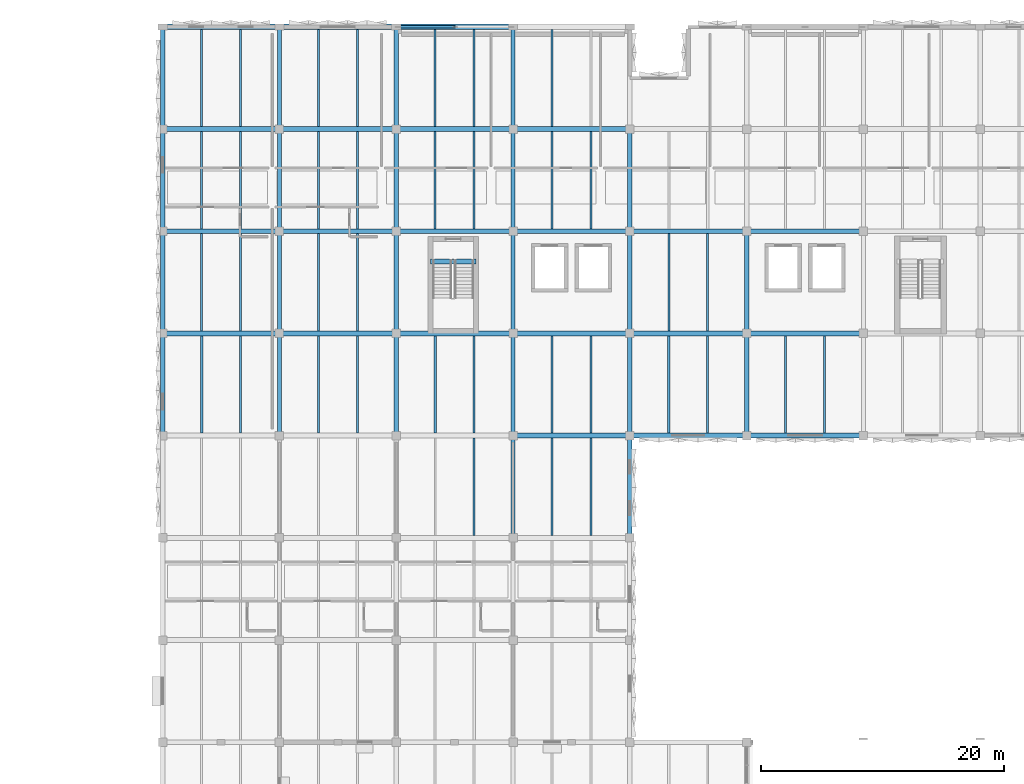
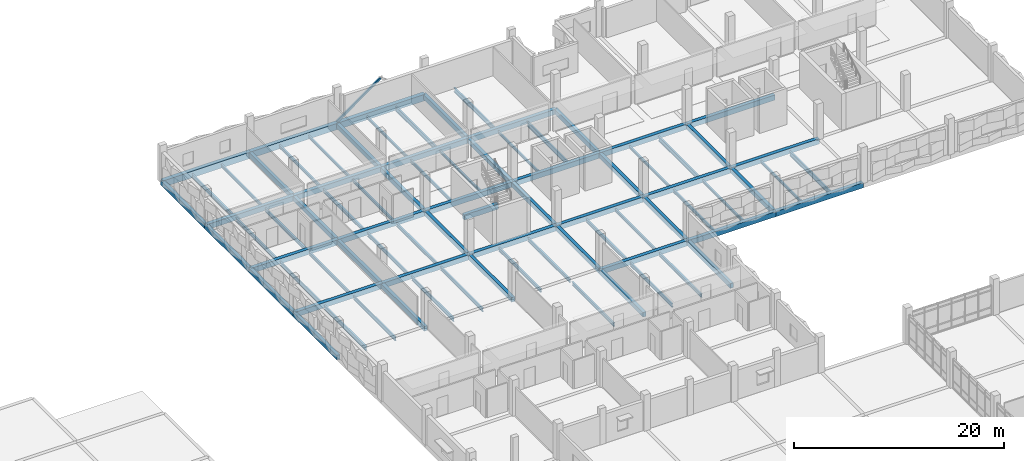
# One storey, part 23 of 57: 82 beams, 1 member.
"""IFC4 building model written with IfcOpenShell, lengths in metres."""

from ifc_helpers import new_model, si_unit, direction, frame, origin, origin_2d, place, context, subcontext, project, spatial, rectangle, hollow_rectangle, i_section, extrude, material, material_profile, profile_set, type_object, element, save


model = new_model("IFC4")

# Units and contexts
model_context = context("Model", 3, precision=1e-05, world=origin(), true_north=direction((0.0, 1.0)))
body_context = subcontext(model_context, "Body", "Model", "MODEL_VIEW")
ifc_project = project(units=[si_unit("LENGTHUNIT", "METRE"), si_unit("AREAUNIT", "SQUARE_METRE"), si_unit("VOLUMEUNIT", "CUBIC_METRE"), si_unit("PLANEANGLEUNIT", "RADIAN"), si_unit("MASSUNIT", "GRAM", prefix="KILO")], contexts=[model_context])

# Site, building, storey
site_placement = place(None, origin())
site = spatial("IfcSite", under=ifc_project, at=site_placement, CompositionType="ELEMENT")
building_placement = place(site_placement, origin())
building = spatial("IfcBuilding", under=site, at=building_placement, Name="Oolite Switchyard Hospital", CompositionType="ELEMENT")
storey_placement = place(building_placement, frame((0.0, 0.0, 17.800048828125)))
storey = spatial("IfcBuildingStorey", under=building, at=storey_placement, Name="L04", CompositionType="ELEMENT", Elevation=17.800048828125)

# Beams
ifc_material_1 = material(Name="Concrete C40/50", Category="concrete")
ifc_material_profile_1 = material_profile(ifc_material_1, rectangle(XDim=0.35009765625, YDim=0.550048828125, at=origin_2d()), Name="RCB350X550")
ifc_profile_set_1 = profile_set([ifc_material_profile_1], Name="Concrete C40/50")
beam_type_1 = type_object("IfcBeamType", Name="BM-RC350X550", PredefinedType="BEAM", material=ifc_profile_set_1)
beam_1_placement = place(storey_placement, frame((134.39990234375, 100.800048828125, -0.275146484375), z_axis=(0.0, 1.0, 0.0), x_axis=(-1.0, 0.0, 0.0)))
element("IfcBeam", 1, at=beam_1_placement, inside=storey, type_object=beam_type_1, Name="L04 Y-Girder 2987", PredefinedType="BEAM", context=body_context, shape_type="SweptSolid", body=[
    extrude(rectangle(XDim=0.35009765625, YDim=0.550048828125, at=origin_2d()), origin(), (0.0, 0.0, 1.0), 8.39990234375),
])
beam_2_placement = place(storey_placement, frame((134.39990234375, 109.199951171875, -0.275146484375), z_axis=(0.0, 1.0, 0.0), x_axis=(-1.0, 0.0, 0.0)))
element("IfcBeam", 2, at=beam_2_placement, inside=storey, type_object=beam_type_1, Name="L04 Y-Girder 2988", PredefinedType="BEAM", context=body_context, shape_type="SweptSolid", body=[
    extrude(rectangle(XDim=0.35009765625, YDim=0.550048828125, at=origin_2d()), origin(), (0.0, 0.0, 1.0), 8.400146484375),
])
for number, where, z_axis, x_axis, name in (
    (3, (134.39990234375, 117.60009765625, -0.275146484375), (0.0, 1.0, 0.0), (-1.0, 0.0, 0.0), "L04 Y-Girder 2989"),
    (4, (134.39990234375, 126.0, -0.275146484375), (0.0, 1.0, 0.0), (-1.0, 0.0, 0.0), "L04 Y-Girder 2990"),
    (5, (144.0, 100.800048828125, -0.275146484375), (0.0, 1.0, 0.0), (-1.0, 0.0, 0.0), "L04 Y-Girder 3002"),
):
    element("IfcBeam", number, at=place(storey_placement, frame(where, z_axis=z_axis, x_axis=x_axis)), inside=storey, type_object=beam_type_1, Name=name, PredefinedType="BEAM", context=body_context, shape_type="SweptSolid", body=[
        extrude(rectangle(XDim=0.35009765625, YDim=0.550048828125, at=origin_2d()), origin(), (0.0, 0.0, 1.0), 8.39990234375),
    ])
beam_3_placement = place(storey_placement, frame((144.0, 109.199951171875, -0.275146484375), z_axis=(0.0, 1.0, 0.0), x_axis=(-1.0, 0.0, 0.0)))
element("IfcBeam", 6, at=beam_3_placement, inside=storey, type_object=beam_type_1, Name="L04 Y-Girder 3003", PredefinedType="BEAM", context=body_context, shape_type="SweptSolid", body=[
    extrude(rectangle(XDim=0.35009765625, YDim=0.550048828125, at=origin_2d()), origin(), (0.0, 0.0, 1.0), 8.400146484375),
])
for number, where, z_axis, x_axis, name in (
    (7, (144.0, 117.60009765625, -0.275146484375), (0.0, 1.0, 0.0), (-1.0, 0.0, 0.0), "L04 Y-Girder 3004"),
    (8, (144.0, 126.0, -0.275146484375), (0.0, 1.0, 0.0), (-1.0, 0.0, 0.0), "L04 Y-Girder 3005"),
    (9, (153.60009765625, 100.800048828125, -0.275146484375), (0.0, 1.0, 0.0), (-1.0, 0.0, 0.0), "L04 Y-Girder 3013"),
):
    element("IfcBeam", number, at=place(storey_placement, frame(where, z_axis=z_axis, x_axis=x_axis)), inside=storey, type_object=beam_type_1, Name=name, PredefinedType="BEAM", context=body_context, shape_type="SweptSolid", body=[
        extrude(rectangle(XDim=0.35009765625, YDim=0.550048828125, at=origin_2d()), origin(), (0.0, 0.0, 1.0), 8.39990234375),
    ])
beam_4_placement = place(storey_placement, frame((153.60009765625, 109.199951171875, -0.275146484375), z_axis=(0.0, 1.0, 0.0), x_axis=(-1.0, 0.0, 0.0)))
element("IfcBeam", 10, at=beam_4_placement, inside=storey, type_object=beam_type_1, Name="L04 Y-Girder 3014", PredefinedType="BEAM", context=body_context, shape_type="SweptSolid", body=[
    extrude(rectangle(XDim=0.35009765625, YDim=0.550048828125, at=origin_2d()), origin(), (0.0, 0.0, 1.0), 8.400146484375),
])
for number, where, z_axis, x_axis, name in (
    (11, (153.60009765625, 117.60009765625, -0.275146484375), (0.0, 1.0, 0.0), (-1.0, 0.0, 0.0), "L04 Y-Girder 3015"),
    (12, (153.60009765625, 126.0, -0.275146484375), (0.0, 1.0, 0.0), (-1.0, 0.0, 0.0), "L04 Y-Girder 3016"),
):
    element("IfcBeam", number, at=place(storey_placement, frame(where, z_axis=z_axis, x_axis=x_axis)), inside=storey, type_object=beam_type_1, Name=name, PredefinedType="BEAM", context=body_context, shape_type="SweptSolid", body=[
        extrude(rectangle(XDim=0.35009765625, YDim=0.550048828125, at=origin_2d()), origin(), (0.0, 0.0, 1.0), 8.39990234375),
    ])
beam_5_placement = place(storey_placement, frame((163.199951171875, 92.39990234375, -0.275146484375), z_axis=(0.0, 1.0, 0.0), x_axis=(-1.0, 0.0, 0.0)))
element("IfcBeam", 13, at=beam_5_placement, inside=storey, type_object=beam_type_1, Name="L04 Y-Girder 3023", PredefinedType="BEAM", context=body_context, shape_type="SweptSolid", body=[
    extrude(rectangle(XDim=0.35009765625, YDim=0.550048828125, at=origin_2d()), origin(), (0.0, 0.0, 1.0), 8.400146484375),
])
beam_6_placement = place(storey_placement, frame((163.199951171875, 100.800048828125, -0.275146484375), z_axis=(0.0, 1.0, 0.0), x_axis=(-1.0, 0.0, 0.0)))
element("IfcBeam", 14, at=beam_6_placement, inside=storey, type_object=beam_type_1, Name="L04 Y-Girder 3024", PredefinedType="BEAM", context=body_context, shape_type="SweptSolid", body=[
    extrude(rectangle(XDim=0.35009765625, YDim=0.550048828125, at=origin_2d()), origin(), (0.0, 0.0, 1.0), 8.39990234375),
])
beam_7_placement = place(storey_placement, frame((163.199951171875, 109.199951171875, -0.275146484375), z_axis=(0.0, 1.0, 0.0), x_axis=(-1.0, 0.0, 0.0)))
element("IfcBeam", 15, at=beam_7_placement, inside=storey, type_object=beam_type_1, Name="L04 Y-Girder 3025", PredefinedType="BEAM", context=body_context, shape_type="SweptSolid", body=[
    extrude(rectangle(XDim=0.35009765625, YDim=0.550048828125, at=origin_2d()), origin(), (0.0, 0.0, 1.0), 8.400146484375),
])
for number, where, z_axis, x_axis, name in (
    (16, (163.199951171875, 117.60009765625, -0.275146484375), (0.0, 1.0, 0.0), (-1.0, 0.0, 0.0), "L04 Y-Girder 3026"),
    (17, (163.199951171875, 126.0, -0.275146484375), (0.0, 1.0, 0.0), (-1.0, 0.0, 0.0), "L04 Y-Girder 3027"),
):
    element("IfcBeam", number, at=place(storey_placement, frame(where, z_axis=z_axis, x_axis=x_axis)), inside=storey, type_object=beam_type_1, Name=name, PredefinedType="BEAM", context=body_context, shape_type="SweptSolid", body=[
        extrude(rectangle(XDim=0.35009765625, YDim=0.550048828125, at=origin_2d()), origin(), (0.0, 0.0, 1.0), 8.39990234375),
    ])
beam_8_placement = place(storey_placement, frame((172.800048828125, 92.39990234375, -0.275146484375), z_axis=(0.0, 1.0, 0.0), x_axis=(-1.0, 0.0, 0.0)))
element("IfcBeam", 18, at=beam_8_placement, inside=storey, type_object=beam_type_1, Name="L04 Y-Girder 3034", PredefinedType="BEAM", context=body_context, shape_type="SweptSolid", body=[
    extrude(rectangle(XDim=0.35009765625, YDim=0.550048828125, at=origin_2d()), origin(), (0.0, 0.0, 1.0), 8.400146484375),
])
beam_9_placement = place(storey_placement, frame((172.800048828125, 100.800048828125, -0.275146484375), z_axis=(0.0, 1.0, 0.0), x_axis=(-1.0, 0.0, 0.0)))
element("IfcBeam", 19, at=beam_9_placement, inside=storey, type_object=beam_type_1, Name="L04 Y-Girder 3035", PredefinedType="BEAM", context=body_context, shape_type="SweptSolid", body=[
    extrude(rectangle(XDim=0.35009765625, YDim=0.550048828125, at=origin_2d()), origin(), (0.0, 0.0, 1.0), 8.39990234375),
])
beam_10_placement = place(storey_placement, frame((172.800048828125, 109.199951171875, -0.275146484375), z_axis=(0.0, 1.0, 0.0), x_axis=(-1.0, 0.0, 0.0)))
element("IfcBeam", 20, at=beam_10_placement, inside=storey, type_object=beam_type_1, Name="L04 Y-Girder 3036", PredefinedType="BEAM", context=body_context, shape_type="SweptSolid", body=[
    extrude(rectangle(XDim=0.35009765625, YDim=0.550048828125, at=origin_2d()), origin(), (0.0, 0.0, 1.0), 8.400146484375),
])
for number, where, z_axis, x_axis, name in (
    (21, (172.800048828125, 117.60009765625, -0.275146484375), (0.0, 1.0, 0.0), (-1.0, 0.0, 0.0), "L04 Y-Girder 3037"),
    (22, (182.39990234375, 100.800048828125, -0.275146484375), (0.0, 1.0, 0.0), (-1.0, 0.0, 0.0), "L04 Y-Girder 3047"),
):
    element("IfcBeam", number, at=place(storey_placement, frame(where, z_axis=z_axis, x_axis=x_axis)), inside=storey, type_object=beam_type_1, Name=name, PredefinedType="BEAM", context=body_context, shape_type="SweptSolid", body=[
        extrude(rectangle(XDim=0.35009765625, YDim=0.550048828125, at=origin_2d()), origin(), (0.0, 0.0, 1.0), 8.39990234375),
    ])
beam_11_placement = place(storey_placement, frame((182.39990234375, 109.199951171875, -0.275146484375), z_axis=(0.0, 1.0, 0.0), x_axis=(-1.0, 0.0, 0.0)))
element("IfcBeam", 23, at=beam_11_placement, inside=storey, type_object=beam_type_1, Name="L04 Y-Girder 3048", PredefinedType="BEAM", context=body_context, shape_type="SweptSolid", body=[
    extrude(rectangle(XDim=0.35009765625, YDim=0.550048828125, at=origin_2d()), origin(), (0.0, 0.0, 1.0), 8.400146484375),
])
ifc_material_profile_2 = material_profile(ifc_material_1, rectangle(XDim=0.39990234375, YDim=0.60009765625, at=origin_2d()), Name="RCB400X600")
ifc_profile_set_2 = profile_set([ifc_material_profile_2], Name="Concrete C40/50")
beam_type_2 = type_object("IfcBeamType", Name="BM-RC400X600", PredefinedType="BEAM", material=ifc_profile_set_2)
beam_12_placement = place(storey_placement, frame((163.199951171875, 100.800048828125, -0.300048828125), z_axis=(1.0, 0.0, 0.0), x_axis=(0.0, 1.0, 0.0)))
element("IfcBeam", 24, at=beam_12_placement, inside=storey, type_object=beam_type_2, Name="L04 X-Girder 2871", PredefinedType="BEAM", context=body_context, shape_type="SweptSolid", body=[
    extrude(rectangle(XDim=0.39990234375, YDim=0.60009765625, at=origin_2d()), origin(), (0.0, 0.0, 1.0), 9.60009765625),
])
beam_13_placement = place(storey_placement, frame((172.800048828125, 100.800048828125, -0.300048828125), z_axis=(1.0, 0.0, 0.0), x_axis=(0.0, 1.0, 0.0)))
element("IfcBeam", 25, at=beam_13_placement, inside=storey, type_object=beam_type_2, Name="L04 X-Girder 2872", PredefinedType="BEAM", context=body_context, shape_type="SweptSolid", body=[
    extrude(rectangle(XDim=0.39990234375, YDim=0.60009765625, at=origin_2d()), origin(), (0.0, 0.0, 1.0), 9.599853515625),
])
for number, where, z_axis, x_axis, name in (
    (26, (182.39990234375, 100.800048828125, -0.300048828125), (1.0, 0.0, 0.0), (0.0, 1.0, 0.0), "L04 X-Girder 2873"),
    (27, (134.39990234375, 109.199951171875, -0.300048828125), (1.0, 0.0, 0.0), (0.0, 1.0, 0.0), "L04 X-Girder 2885"),
    (28, (144.0, 109.199951171875, -0.300048828125), (1.0, 0.0, 0.0), (0.0, 1.0, 0.0), "L04 X-Girder 2886"),
):
    element("IfcBeam", number, at=place(storey_placement, frame(where, z_axis=z_axis, x_axis=x_axis)), inside=storey, type_object=beam_type_2, Name=name, PredefinedType="BEAM", context=body_context, shape_type="SweptSolid", body=[
        extrude(rectangle(XDim=0.39990234375, YDim=0.60009765625, at=origin_2d()), origin(), (0.0, 0.0, 1.0), 9.60009765625),
    ])
beam_14_placement = place(storey_placement, frame((153.60009765625, 109.199951171875, -0.300048828125), z_axis=(1.0, 0.0, 0.0), x_axis=(0.0, 1.0, 0.0)))
element("IfcBeam", 29, at=beam_14_placement, inside=storey, type_object=beam_type_2, Name="L04 X-Girder 2887", PredefinedType="BEAM", context=body_context, shape_type="SweptSolid", body=[
    extrude(rectangle(XDim=0.39990234375, YDim=0.60009765625, at=origin_2d()), origin(), (0.0, 0.0, 1.0), 9.599853515625),
])
beam_15_placement = place(storey_placement, frame((163.199951171875, 109.199951171875, -0.300048828125), z_axis=(1.0, 0.0, 0.0), x_axis=(0.0, 1.0, 0.0)))
element("IfcBeam", 30, at=beam_15_placement, inside=storey, type_object=beam_type_2, Name="L04 X-Girder 2888", PredefinedType="BEAM", context=body_context, shape_type="SweptSolid", body=[
    extrude(rectangle(XDim=0.39990234375, YDim=0.60009765625, at=origin_2d()), origin(), (0.0, 0.0, 1.0), 9.60009765625),
])
beam_16_placement = place(storey_placement, frame((172.800048828125, 109.199951171875, -0.300048828125), z_axis=(1.0, 0.0, 0.0), x_axis=(0.0, 1.0, 0.0)))
element("IfcBeam", 31, at=beam_16_placement, inside=storey, type_object=beam_type_2, Name="L04 X-Girder 2889", PredefinedType="BEAM", context=body_context, shape_type="SweptSolid", body=[
    extrude(rectangle(XDim=0.39990234375, YDim=0.60009765625, at=origin_2d()), origin(), (0.0, 0.0, 1.0), 9.599853515625),
])
for number, where, z_axis, x_axis, name in (
    (32, (182.39990234375, 109.199951171875, -0.300048828125), (1.0, 0.0, 0.0), (0.0, 1.0, 0.0), "L04 X-Girder 2890"),
    (33, (134.39990234375, 117.60009765625, -0.300048828125), (1.0, 0.0, 0.0), (0.0, 1.0, 0.0), "L04 X-Girder 2897"),
    (34, (144.0, 117.60009765625, -0.300048828125), (1.0, 0.0, 0.0), (0.0, 1.0, 0.0), "L04 X-Girder 2898"),
):
    element("IfcBeam", number, at=place(storey_placement, frame(where, z_axis=z_axis, x_axis=x_axis)), inside=storey, type_object=beam_type_2, Name=name, PredefinedType="BEAM", context=body_context, shape_type="SweptSolid", body=[
        extrude(rectangle(XDim=0.39990234375, YDim=0.60009765625, at=origin_2d()), origin(), (0.0, 0.0, 1.0), 9.60009765625),
    ])
beam_17_placement = place(storey_placement, frame((153.60009765625, 117.60009765625, -0.300048828125), z_axis=(1.0, 0.0, 0.0), x_axis=(0.0, 1.0, 0.0)))
element("IfcBeam", 35, at=beam_17_placement, inside=storey, type_object=beam_type_2, Name="L04 X-Girder 2899", PredefinedType="BEAM", context=body_context, shape_type="SweptSolid", body=[
    extrude(rectangle(XDim=0.39990234375, YDim=0.60009765625, at=origin_2d()), origin(), (0.0, 0.0, 1.0), 9.599853515625),
])
beam_18_placement = place(storey_placement, frame((163.199951171875, 117.60009765625, -0.300048828125), z_axis=(1.0, 0.0, 0.0), x_axis=(0.0, 1.0, 0.0)))
element("IfcBeam", 36, at=beam_18_placement, inside=storey, type_object=beam_type_2, Name="L04 X-Girder 2900", PredefinedType="BEAM", context=body_context, shape_type="SweptSolid", body=[
    extrude(rectangle(XDim=0.39990234375, YDim=0.60009765625, at=origin_2d()), origin(), (0.0, 0.0, 1.0), 9.60009765625),
])
beam_19_placement = place(storey_placement, frame((172.800048828125, 117.60009765625, -0.300048828125), z_axis=(1.0, 0.0, 0.0), x_axis=(0.0, 1.0, 0.0)))
element("IfcBeam", 37, at=beam_19_placement, inside=storey, type_object=beam_type_2, Name="L04 X-Girder 2901", PredefinedType="BEAM", context=body_context, shape_type="SweptSolid", body=[
    extrude(rectangle(XDim=0.39990234375, YDim=0.60009765625, at=origin_2d()), origin(), (0.0, 0.0, 1.0), 9.599853515625),
])
for number, where, z_axis, x_axis, name in (
    (38, (182.39990234375, 117.60009765625, -0.300048828125), (1.0, 0.0, 0.0), (0.0, 1.0, 0.0), "L04 X-Girder 2902"),
    (39, (134.39990234375, 126.0, -0.300048828125), (1.0, 0.0, 0.0), (0.0, 1.0, 0.0), "L04 X-Girder 2905"),
    (40, (144.0, 126.0, -0.300048828125), (1.0, 0.0, 0.0), (0.0, 1.0, 0.0), "L04 X-Girder 2906"),
):
    element("IfcBeam", number, at=place(storey_placement, frame(where, z_axis=z_axis, x_axis=x_axis)), inside=storey, type_object=beam_type_2, Name=name, PredefinedType="BEAM", context=body_context, shape_type="SweptSolid", body=[
        extrude(rectangle(XDim=0.39990234375, YDim=0.60009765625, at=origin_2d()), origin(), (0.0, 0.0, 1.0), 9.60009765625),
    ])
beam_20_placement = place(storey_placement, frame((153.60009765625, 126.0, -0.300048828125), z_axis=(1.0, 0.0, 0.0), x_axis=(0.0, 1.0, 0.0)))
element("IfcBeam", 41, at=beam_20_placement, inside=storey, type_object=beam_type_2, Name="L04 X-Girder 2907", PredefinedType="BEAM", context=body_context, shape_type="SweptSolid", body=[
    extrude(rectangle(XDim=0.39990234375, YDim=0.60009765625, at=origin_2d()), origin(), (0.0, 0.0, 1.0), 9.599853515625),
])
beam_21_placement = place(storey_placement, frame((163.199951171875, 126.0, -0.300048828125), z_axis=(1.0, 0.0, 0.0), x_axis=(0.0, 1.0, 0.0)))
element("IfcBeam", 42, at=beam_21_placement, inside=storey, type_object=beam_type_2, Name="L04 X-Girder 2908", PredefinedType="BEAM", context=body_context, shape_type="SweptSolid", body=[
    extrude(rectangle(XDim=0.39990234375, YDim=0.60009765625, at=origin_2d()), origin(), (0.0, 0.0, 1.0), 9.60009765625),
])
beam_22_placement = place(storey_placement, frame((156.39990234375, 115.110107421875, -0.300048828125), z_axis=(1.0, 0.0, 0.0), x_axis=(0.0, 1.0, 0.0)))
element("IfcBeam", 43, at=beam_22_placement, inside=storey, type_object=beam_type_2, Name="L04 ST-03 Stair Throat Trimmer Beam", PredefinedType="BEAM", context=body_context, shape_type="SweptSolid", body=[
    extrude(rectangle(XDim=0.39990234375, YDim=0.60009765625, at=origin_2d()), origin(), (0.0, 0.0, 1.0), 3.760009765625),
])
ifc_material_profile_3 = material_profile(ifc_material_1, rectangle(XDim=0.449951171875, YDim=0.75, at=origin_2d()), Name="RCB450X750")
ifc_profile_set_3 = profile_set([ifc_material_profile_3], Name="Concrete C40/50")
beam_type_3 = type_object("IfcBeamType", Name="BM-RC450X750", PredefinedType="BEAM", material=ifc_profile_set_3)
for number, where, z_axis, x_axis, name in (
    (44, (134.39990234375, 134.39990234375, -0.375), (1.0, 0.0, 0.0), (0.0, 1.0, 0.0), "L04 X-Girder 2913"),
    (45, (144.0, 134.39990234375, -0.375), (1.0, 0.0, 0.0), (0.0, 1.0, 0.0), "L04 X-Girder 2914"),
):
    element("IfcBeam", number, at=place(storey_placement, frame(where, z_axis=z_axis, x_axis=x_axis)), inside=storey, type_object=beam_type_3, Name=name, PredefinedType="BEAM", context=body_context, shape_type="SweptSolid", body=[
        extrude(rectangle(XDim=0.449951171875, YDim=0.75, at=origin_2d()), origin(), (0.0, 0.0, 1.0), 9.60009765625),
    ])
beam_23_placement = place(storey_placement, frame((153.60009765625, 134.39990234375, -0.375), z_axis=(1.0, 0.0, 0.0), x_axis=(0.0, 1.0, 0.0)))
element("IfcBeam", 46, at=beam_23_placement, inside=storey, type_object=beam_type_3, Name="L04 X-Girder 2915", PredefinedType="BEAM", context=body_context, shape_type="SweptSolid", body=[
    extrude(rectangle(XDim=0.449951171875, YDim=0.75, at=origin_2d()), origin(), (0.0, 0.0, 1.0), 9.599853515625),
])
ifc_material_2 = material(Name="Steel ASTM A992 Grade 50", Category="steel")
ifc_material_profile_4 = material_profile(ifc_material_2, i_section(OverallWidth=0.1650390625, OverallDepth=0.31005859375, WebThickness=0.006103515625, FlangeThickness=0.010009765625, at=origin_2d()), Name="W12X26")
ifc_profile_set_4 = profile_set([ifc_material_profile_4], Name="Steel ASTM A992 Grade 50")
beam_type_4 = type_object("IfcBeamType", Name="BM-W12X26", PredefinedType="JOIST", material=ifc_profile_set_4)
beam_24_placement = place(storey_placement, frame((150.39990234375, 126.199951171875, -0.429931640625), z_axis=(0.0, 1.0, 0.0), x_axis=(-1.0, 0.0, 0.0)))
element("IfcBeam", 47, at=beam_24_placement, inside=storey, type_object=beam_type_4, Name="L04 Secondary Steel Joist 3214", PredefinedType="JOIST", context=body_context, shape_type="SweptSolid", body=[
    extrude(i_section(OverallWidth=0.1650390625, OverallDepth=0.31005859375, WebThickness=0.006103515625, FlangeThickness=0.010009765625, at=origin_2d()), origin(), (0.0, 0.0, 1.0), 7.97509765625),
])
beam_25_placement = place(storey_placement, frame((160.0, 117.800048828125, -0.429931640625), z_axis=(0.0, 1.0, 0.0), x_axis=(-1.0, 0.0, 0.0)))
element("IfcBeam", 48, at=beam_25_placement, inside=storey, type_object=beam_type_4, Name="L04 Secondary Steel Joist 3232", PredefinedType="JOIST", context=body_context, shape_type="SweptSolid", body=[
    extrude(i_section(OverallWidth=0.1650390625, OverallDepth=0.31005859375, WebThickness=0.006103515625, FlangeThickness=0.010009765625, at=origin_2d()), origin(), (0.0, 0.0, 1.0), 8.0),
])
beam_26_placement = place(storey_placement, frame((156.800048828125, 126.199951171875, -0.429931640625), z_axis=(0.0, 1.0, 0.0), x_axis=(-1.0, 0.0, 0.0)))
element("IfcBeam", 49, at=beam_26_placement, inside=storey, type_object=beam_type_4, Name="L04 Secondary Steel Joist 3233", PredefinedType="JOIST", context=body_context, shape_type="SweptSolid", body=[
    extrude(i_section(OverallWidth=0.1650390625, OverallDepth=0.31005859375, WebThickness=0.006103515625, FlangeThickness=0.010009765625, at=origin_2d()), origin(), (0.0, 0.0, 1.0), 7.97509765625),
])
for number, where, z_axis, x_axis, name in (
    (50, (166.39990234375, 117.800048828125, -0.429931640625), (0.0, 1.0, 0.0), (-1.0, 0.0, 0.0), "L04 Secondary Steel Joist 3251"),
    (51, (179.199951171875, 101.0, -0.429931640625), (0.0, 1.0, 0.0), (-1.0, 0.0, 0.0), "L04 Secondary Steel Joist 3264"),
    (52, (176.0, 109.39990234375, -0.429931640625), (0.0, 1.0, 0.0), (-1.0, 0.0, 0.0), "L04 Secondary Steel Joist 3265"),
    (53, (185.60009765625, 101.0, -0.429931640625), (0.0, 1.0, 0.0), (-1.0, 0.0, 0.0), "L04 Secondary Steel Joist 3285"),
):
    element("IfcBeam", number, at=place(storey_placement, frame(where, z_axis=z_axis, x_axis=x_axis)), inside=storey, type_object=beam_type_4, Name=name, PredefinedType="JOIST", context=body_context, shape_type="SweptSolid", body=[
        extrude(i_section(OverallWidth=0.1650390625, OverallDepth=0.31005859375, WebThickness=0.006103515625, FlangeThickness=0.010009765625, at=origin_2d()), origin(), (0.0, 0.0, 1.0), 8.0),
    ])
ifc_material_profile_5 = material_profile(ifc_material_2, i_section(OverallWidth=0.1708984375, OverallDepth=0.35107421875, WebThickness=0.007080078125, FlangeThickness=0.010009765625, at=origin_2d()), Name="W14X30")
ifc_profile_set_5 = profile_set([ifc_material_profile_5], Name="Steel ASTM A992 Grade 50")
beam_type_5 = type_object("IfcBeamType", Name="BM-W14X30", PredefinedType="JOIST", material=ifc_profile_set_5)
beam_27_placement = place(storey_placement, frame((140.800048828125, 126.199951171875, -0.449951171875), z_axis=(0.0, 1.0, 0.0), x_axis=(-1.0, 0.0, 0.0)))
element("IfcBeam", 54, at=beam_27_placement, inside=storey, type_object=beam_type_5, Name="L04 Secondary Steel Joist 3194", PredefinedType="JOIST", context=body_context, shape_type="SweptSolid", body=[
    extrude(i_section(OverallWidth=0.1708984375, OverallDepth=0.35107421875, WebThickness=0.007080078125, FlangeThickness=0.010009765625, at=origin_2d()), origin(), (0.0, 0.0, 1.0), 7.97509765625),
])
beam_28_placement = place(storey_placement, frame((150.39990234375, 117.800048828125, -0.449951171875), z_axis=(0.0, 1.0, 0.0), x_axis=(-1.0, 0.0, 0.0)))
element("IfcBeam", 55, at=beam_28_placement, inside=storey, type_object=beam_type_5, Name="L04 Secondary Steel Joist 3212", PredefinedType="JOIST", context=body_context, shape_type="SweptSolid", body=[
    extrude(i_section(OverallWidth=0.1708984375, OverallDepth=0.35107421875, WebThickness=0.007080078125, FlangeThickness=0.010009765625, at=origin_2d()), origin(), (0.0, 0.0, 1.0), 8.0),
])
beam_29_placement = place(storey_placement, frame((147.199951171875, 126.199951171875, -0.449951171875), z_axis=(0.0, 1.0, 0.0), x_axis=(-1.0, 0.0, 0.0)))
element("IfcBeam", 56, at=beam_29_placement, inside=storey, type_object=beam_type_5, Name="L04 Secondary Steel Joist 3213", PredefinedType="JOIST", context=body_context, shape_type="SweptSolid", body=[
    extrude(i_section(OverallWidth=0.1708984375, OverallDepth=0.35107421875, WebThickness=0.007080078125, FlangeThickness=0.010009765625, at=origin_2d()), origin(), (0.0, 0.0, 1.0), 7.97509765625),
])
for number, where, z_axis, x_axis, name in (
    (57, (156.800048828125, 117.800048828125, -0.449951171875), (0.0, 1.0, 0.0), (-1.0, 0.0, 0.0), "L04 Secondary Steel Joist 3231"),
    (58, (169.60009765625, 101.0, -0.449951171875), (0.0, 1.0, 0.0), (-1.0, 0.0, 0.0), "L04 Secondary Steel Joist 3250"),
    (59, (176.0, 101.0, -0.449951171875), (0.0, 1.0, 0.0), (-1.0, 0.0, 0.0), "L04 Secondary Steel Joist 3263"),
):
    element("IfcBeam", number, at=place(storey_placement, frame(where, z_axis=z_axis, x_axis=x_axis)), inside=storey, type_object=beam_type_5, Name=name, PredefinedType="JOIST", context=body_context, shape_type="SweptSolid", body=[
        extrude(i_section(OverallWidth=0.1708984375, OverallDepth=0.35107421875, WebThickness=0.007080078125, FlangeThickness=0.010009765625, at=origin_2d()), origin(), (0.0, 0.0, 1.0), 8.0),
    ])
ifc_material_profile_6 = material_profile(ifc_material_2, i_section(OverallWidth=0.177978515625, OverallDepth=0.403076171875, WebThickness=0.008056640625, FlangeThickness=0.010986328125, at=origin_2d()), Name="W16X36")
ifc_profile_set_6 = profile_set([ifc_material_profile_6], Name="Steel ASTM A992 Grade 50")
beam_type_6 = type_object("IfcBeamType", Name="BM-W16X36", PredefinedType="JOIST", material=ifc_profile_set_6)
beam_30_placement = place(storey_placement, frame((140.800048828125, 117.800048828125, -0.47607421875), z_axis=(0.0, 1.0, 0.0), x_axis=(-1.0, 0.0, 0.0)))
element("IfcBeam", 60, at=beam_30_placement, inside=storey, type_object=beam_type_6, Name="L04 Secondary Steel Joist 3192", PredefinedType="JOIST", context=body_context, shape_type="SweptSolid", body=[
    extrude(i_section(OverallWidth=0.177978515625, OverallDepth=0.403076171875, WebThickness=0.008056640625, FlangeThickness=0.010986328125, at=origin_2d()), origin(), (0.0, 0.0, 1.0), 8.0),
])
beam_31_placement = place(storey_placement, frame((137.60009765625, 126.199951171875, -0.47607421875), z_axis=(0.0, 1.0, 0.0), x_axis=(-1.0, 0.0, 0.0)))
element("IfcBeam", 61, at=beam_31_placement, inside=storey, type_object=beam_type_6, Name="L04 Secondary Steel Joist 3193", PredefinedType="JOIST", context=body_context, shape_type="SweptSolid", body=[
    extrude(i_section(OverallWidth=0.177978515625, OverallDepth=0.403076171875, WebThickness=0.008056640625, FlangeThickness=0.010986328125, at=origin_2d()), origin(), (0.0, 0.0, 1.0), 7.97509765625),
])
for number, where, z_axis, x_axis, name in (
    (62, (150.39990234375, 109.39990234375, -0.47607421875), (0.0, 1.0, 0.0), (-1.0, 0.0, 0.0), "L04 Secondary Steel Joist 3210"),
    (63, (147.199951171875, 117.800048828125, -0.47607421875), (0.0, 1.0, 0.0), (-1.0, 0.0, 0.0), "L04 Secondary Steel Joist 3211"),
    (64, (160.0, 101.0, -0.47607421875), (0.0, 1.0, 0.0), (-1.0, 0.0, 0.0), "L04 Secondary Steel Joist 3230"),
    (65, (169.60009765625, 92.60009765625, -0.47607421875), (0.0, 1.0, 0.0), (-1.0, 0.0, 0.0), "L04 Secondary Steel Joist 3248"),
    (66, (166.39990234375, 101.0, -0.47607421875), (0.0, 1.0, 0.0), (-1.0, 0.0, 0.0), "L04 Secondary Steel Joist 3249"),
):
    element("IfcBeam", number, at=place(storey_placement, frame(where, z_axis=z_axis, x_axis=x_axis)), inside=storey, type_object=beam_type_6, Name=name, PredefinedType="JOIST", context=body_context, shape_type="SweptSolid", body=[
        extrude(i_section(OverallWidth=0.177978515625, OverallDepth=0.403076171875, WebThickness=0.008056640625, FlangeThickness=0.010986328125, at=origin_2d()), origin(), (0.0, 0.0, 1.0), 8.0),
    ])
ifc_material_profile_7 = material_profile(ifc_material_2, i_section(OverallWidth=0.179931640625, OverallDepth=0.4130859375, WebThickness=0.010009765625, FlangeThickness=0.01611328125, at=origin_2d()), Name="W16X50")
ifc_profile_set_7 = profile_set([ifc_material_profile_7], Name="Steel ASTM A992 Grade 50")
beam_type_7 = type_object("IfcBeamType", Name="BM-W16X50", PredefinedType="JOIST", material=ifc_profile_set_7)
for number, where, z_axis, x_axis, name in (
    (67, (140.800048828125, 109.39990234375, -0.48095703125), (0.0, 1.0, 0.0), (-1.0, 0.0, 0.0), "L04 Secondary Steel Joist 3190"),
    (68, (137.60009765625, 117.800048828125, -0.48095703125), (0.0, 1.0, 0.0), (-1.0, 0.0, 0.0), "L04 Secondary Steel Joist 3191"),
    (69, (150.39990234375, 101.0, -0.48095703125), (0.0, 1.0, 0.0), (-1.0, 0.0, 0.0), "L04 Secondary Steel Joist 3208"),
    (70, (147.199951171875, 109.39990234375, -0.48095703125), (0.0, 1.0, 0.0), (-1.0, 0.0, 0.0), "L04 Secondary Steel Joist 3209"),
    (71, (160.0, 92.60009765625, -0.48095703125), (0.0, 1.0, 0.0), (-1.0, 0.0, 0.0), "L04 Secondary Steel Joist 3228"),
    (72, (156.800048828125, 101.0, -0.48095703125), (0.0, 1.0, 0.0), (-1.0, 0.0, 0.0), "L04 Secondary Steel Joist 3229"),
    (73, (166.39990234375, 92.60009765625, -0.48095703125), (0.0, 1.0, 0.0), (-1.0, 0.0, 0.0), "L04 Secondary Steel Joist 3247"),
):
    element("IfcBeam", number, at=place(storey_placement, frame(where, z_axis=z_axis, x_axis=x_axis)), inside=storey, type_object=beam_type_7, Name=name, PredefinedType="JOIST", context=body_context, shape_type="SweptSolid", body=[
        extrude(i_section(OverallWidth=0.179931640625, OverallDepth=0.4130859375, WebThickness=0.010009765625, FlangeThickness=0.01611328125, at=origin_2d()), origin(), (0.0, 0.0, 1.0), 8.0),
    ])
ifc_material_profile_8 = material_profile(ifc_material_2, i_section(OverallWidth=0.153076171875, OverallDepth=0.455078125, WebThickness=0.008056640625, FlangeThickness=0.012939453125, at=origin_2d()), Name="W18X40")
ifc_profile_set_8 = profile_set([ifc_material_profile_8], Name="Steel ASTM A992 Grade 50")
beam_type_8 = type_object("IfcBeamType", Name="BM-W18X40", PredefinedType="JOIST", material=ifc_profile_set_8)
for number, where, z_axis, x_axis, name in (
    (74, (140.800048828125, 101.0, -0.501953125), (0.0, 1.0, 0.0), (-1.0, 0.0, 0.0), "L04 Secondary Steel Joist 3188"),
    (75, (137.60009765625, 109.39990234375, -0.501953125), (0.0, 1.0, 0.0), (-1.0, 0.0, 0.0), "L04 Secondary Steel Joist 3189"),
    (76, (147.199951171875, 101.0, -0.501953125), (0.0, 1.0, 0.0), (-1.0, 0.0, 0.0), "L04 Secondary Steel Joist 3207"),
):
    element("IfcBeam", number, at=place(storey_placement, frame(where, z_axis=z_axis, x_axis=x_axis)), inside=storey, type_object=beam_type_8, Name=name, PredefinedType="JOIST", context=body_context, shape_type="SweptSolid", body=[
        extrude(i_section(OverallWidth=0.153076171875, OverallDepth=0.455078125, WebThickness=0.008056640625, FlangeThickness=0.012939453125, at=origin_2d()), origin(), (0.0, 0.0, 1.0), 8.0),
    ])
ifc_material_profile_9 = material_profile(ifc_material_2, i_section(OverallWidth=0.19091796875, OverallDepth=0.4599609375, WebThickness=0.010009765625, FlangeThickness=0.01611328125, at=origin_2d()), Name="W18X55")
ifc_profile_set_9 = profile_set([ifc_material_profile_9], Name="Steel ASTM A992 Grade 50")
beam_type_9 = type_object("IfcBeamType", Name="BM-W18X55", PredefinedType="JOIST", material=ifc_profile_set_9)
beam_32_placement = place(storey_placement, frame((137.60009765625, 101.0, -0.505126953125), z_axis=(0.0, 1.0, 0.0), x_axis=(-1.0, 0.0, 0.0)))
element("IfcBeam", 77, at=beam_32_placement, inside=storey, type_object=beam_type_9, Name="L04 Secondary Steel Joist 3187", PredefinedType="JOIST", context=body_context, shape_type="SweptSolid", body=[
    extrude(i_section(OverallWidth=0.19091796875, OverallDepth=0.4599609375, WebThickness=0.010009765625, FlangeThickness=0.01611328125, at=origin_2d()), origin(), (0.0, 0.0, 1.0), 8.0),
])
ifc_material_profile_10 = material_profile(ifc_material_2, i_section(OverallWidth=0.166015625, OverallDepth=0.529052734375, WebThickness=0.010009765625, FlangeThickness=0.013916015625, at=origin_2d()), Name="W21X50")
ifc_profile_set_10 = profile_set([ifc_material_profile_10], Name="Steel ASTM A992 Grade 50")
beam_type_10 = type_object("IfcBeamType", Name="BM-W21X50", PredefinedType="JOIST", material=ifc_profile_set_10)
beam_33_placement = place(storey_placement, frame((160.0, 126.199951171875, -0.5400390625), z_axis=(0.0, 1.0, 0.0), x_axis=(-1.0, 0.0, 0.0)))
element("IfcBeam", 78, at=beam_33_placement, inside=storey, type_object=beam_type_10, Name="L04 Secondary Steel Joist 3234", PredefinedType="JOIST", context=body_context, shape_type="SweptSolid", body=[
    extrude(i_section(OverallWidth=0.166015625, OverallDepth=0.529052734375, WebThickness=0.010009765625, FlangeThickness=0.013916015625, at=origin_2d()), origin(), (0.0, 0.0, 1.0), 7.97509765625),
])
beam_34_placement = place(storey_placement, frame((169.60009765625, 117.800048828125, -0.5400390625), z_axis=(0.0, 1.0, 0.0), x_axis=(-1.0, 0.0, 0.0)))
element("IfcBeam", 79, at=beam_34_placement, inside=storey, type_object=beam_type_10, Name="L04 Secondary Steel Joist 3252", PredefinedType="JOIST", context=body_context, shape_type="SweptSolid", body=[
    extrude(i_section(OverallWidth=0.166015625, OverallDepth=0.529052734375, WebThickness=0.010009765625, FlangeThickness=0.013916015625, at=origin_2d()), origin(), (0.0, 0.0, 1.0), 8.0),
])
beam_35_placement = place(storey_placement, frame((166.39990234375, 126.199951171875, -0.5400390625), z_axis=(0.0, 1.0, 0.0), x_axis=(-1.0, 0.0, 0.0)))
element("IfcBeam", 80, at=beam_35_placement, inside=storey, type_object=beam_type_10, Name="L04 Secondary Steel Joist 3253", PredefinedType="JOIST", context=body_context, shape_type="SweptSolid", body=[
    extrude(i_section(OverallWidth=0.166015625, OverallDepth=0.529052734375, WebThickness=0.010009765625, FlangeThickness=0.013916015625, at=origin_2d()), origin(), (0.0, 0.0, 1.0), 7.97509765625),
])
for number, where, z_axis, x_axis, name in (
    (81, (179.199951171875, 109.39990234375, -0.5400390625), (0.0, 1.0, 0.0), (-1.0, 0.0, 0.0), "L04 Secondary Steel Joist 3266"),
    (82, (188.800048828125, 101.0, -0.5400390625), (0.0, 1.0, 0.0), (-1.0, 0.0, 0.0), "L04 Secondary Steel Joist 3286"),
):
    element("IfcBeam", number, at=place(storey_placement, frame(where, z_axis=z_axis, x_axis=x_axis)), inside=storey, type_object=beam_type_10, Name=name, PredefinedType="JOIST", context=body_context, shape_type="SweptSolid", body=[
        extrude(i_section(OverallWidth=0.166015625, OverallDepth=0.529052734375, WebThickness=0.010009765625, FlangeThickness=0.013916015625, at=origin_2d()), origin(), (0.0, 0.0, 1.0), 8.0),
    ])

# Member
ifc_material_3 = material(Name="Steel ASTM A500 Grade C", Category="steel")
ifc_material_profile_11 = material_profile(ifc_material_3, hollow_rectangle(XDim=0.202880859375, YDim=0.202880859375, WallThickness=0.012939453125, at=origin_2d()), Name="HSS203X203X13")
ifc_profile_set_11 = profile_set([ifc_material_profile_11], Name="Steel ASTM A500 Grade C")
member_type = type_object("IfcMemberType", Name="MEM-BR-HSS203", PredefinedType="BRACE", material=ifc_profile_set_11)
member_placement = place(storey_placement, frame((153.60009765625, 134.39990234375, 0.02001953125), z_axis=(0.81361321594, 0.0, 0.58140651428), x_axis=(0.0, 1.0, 0.0)))
element("IfcMember", 83, at=member_placement, inside=storey, type_object=member_type, Name="L04 Chevron Brace 37", PredefinedType="BRACE", context=body_context, shape_type="SweptSolid", body=[
    extrude(hollow_rectangle(XDim=0.202880859375, YDim=0.202880859375, WallThickness=0.012939453125, at=origin_2d()), origin(), (0.0, 0.0, 1.0), 5.8994140625),
])

save(model, "model.ifc")
